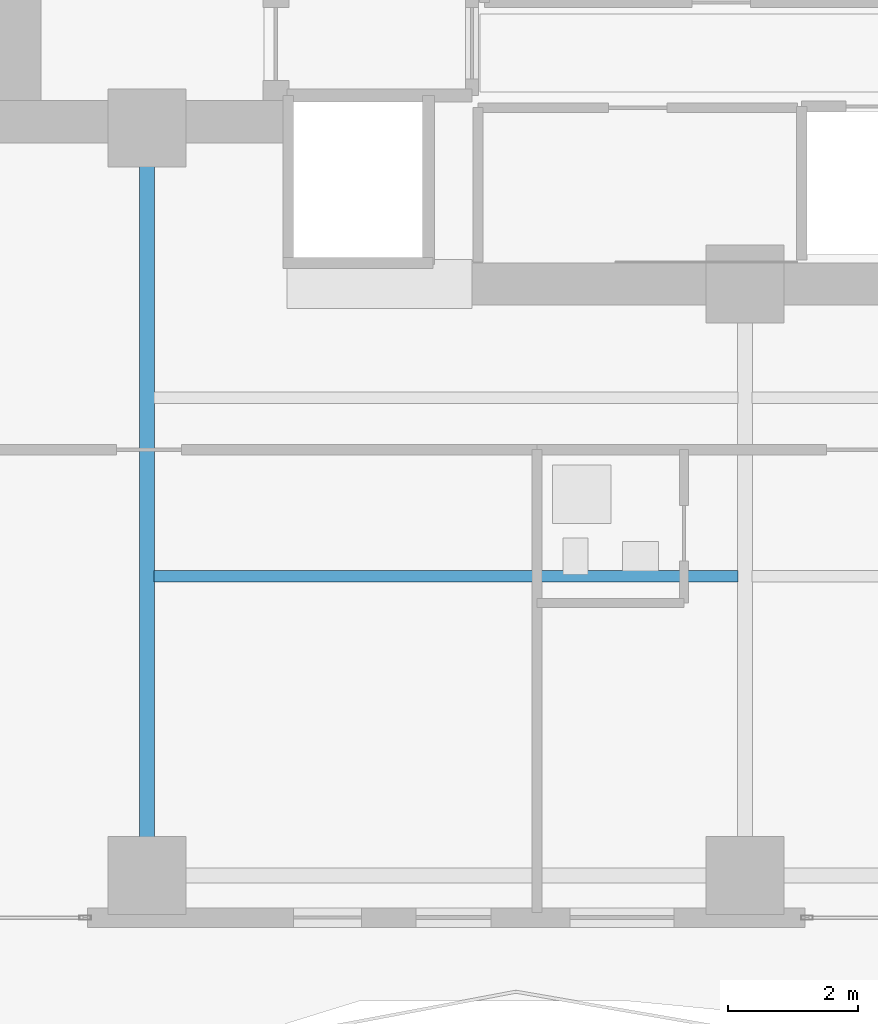
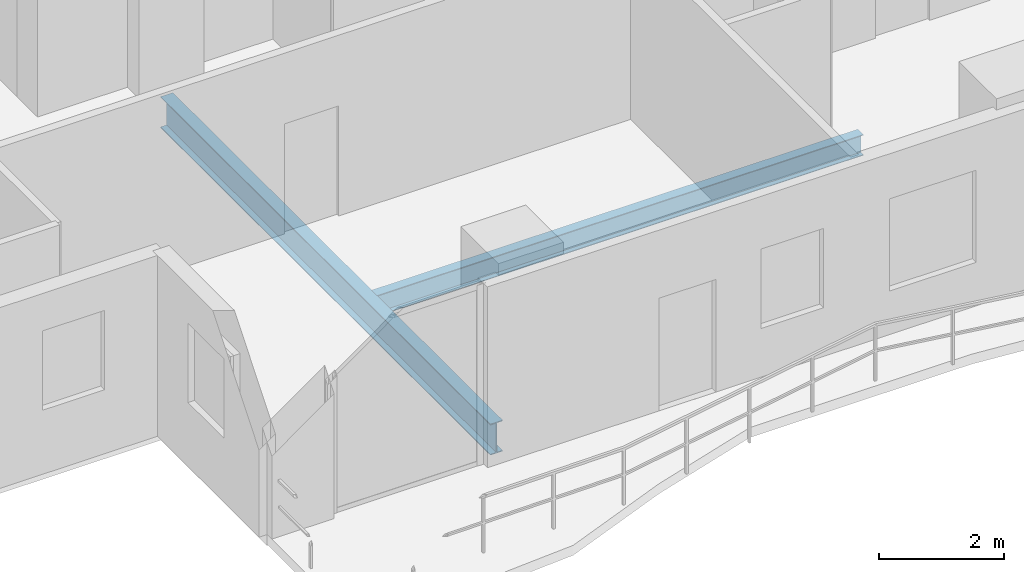
# One storey, part 3 of 33: 2 beams.
"""IFC4 building model written with IfcOpenShell, lengths in metres."""

from ifc_helpers import new_model, si_unit, direction, frame, origin, origin_2d, place, context, subcontext, project, spatial, i_section, extrude, material, material_profile, profile_set, type_object, element, save


model = new_model("IFC4")

# Units and contexts
model_context = context("Model", 3, precision=1e-05, world=origin(), true_north=direction((0.0, 1.0)))
body_context = subcontext(model_context, "Body", "Model", "MODEL_VIEW")
ifc_project = project(units=[si_unit("LENGTHUNIT", "METRE"), si_unit("AREAUNIT", "SQUARE_METRE"), si_unit("VOLUMEUNIT", "CUBIC_METRE"), si_unit("PLANEANGLEUNIT", "RADIAN"), si_unit("MASSUNIT", "GRAM", prefix="KILO")], contexts=[model_context])

# Site, building, storey
site_placement = place(None, origin())
site = spatial("IfcSite", under=ifc_project, at=site_placement, CompositionType="ELEMENT")
building_placement = place(site_placement, origin())
building = spatial("IfcBuilding", under=site, at=building_placement, Name="Zuhayl Quay Hotel", CompositionType="ELEMENT")
storey_placement = place(building_placement, frame((0.0, 0.0, 199.89990234375)))
storey = spatial("IfcBuildingStorey", under=building, at=storey_placement, Name="L50", CompositionType="ELEMENT", Elevation=199.89990234375)

# Beams
ifc_material = material(Name="Steel ASTM A992 Grade 50", Category="steel")
ifc_material_profile_1 = material_profile(ifc_material, i_section(OverallWidth=0.22802734375, OverallDepth=0.60693359375, WebThickness=0.01123046875, FlangeThickness=0.017333984375, at=origin_2d()), Name="W24X76")
ifc_profile_set_1 = profile_set([ifc_material_profile_1], Name="Steel ASTM A992 Grade 50")
beam_type_1 = type_object("IfcBeamType", Name="BM_B3_W24X76", PredefinedType="BEAM", material=ifc_profile_set_1)
beam_1_placement = place(storey_placement, frame((-13.800048828125, -6.449951171875, -0.5234375), z_axis=(0.0, 1.0, 0.0), x_axis=(-1.0, 0.0, 0.0)))
element("IfcBeam", 1, at=beam_1_placement, inside=storey, type_object=beam_type_1, Name="L50 Floor Beam FG_S_L50_1", PredefinedType="BEAM", context=body_context, shape_type="SweptSolid", body=[
    extrude(i_section(OverallWidth=0.22802734375, OverallDepth=0.60693359375, WebThickness=0.01123046875, FlangeThickness=0.017333984375, at=origin_2d()), origin(), (0.0, 0.0, 1.0), 10.550048828125),
])
ifc_material_profile_2 = material_profile(ifc_material, i_section(OverallWidth=0.177978515625, OverallDepth=0.406005859375, WebThickness=0.0078125, FlangeThickness=0.0126953125, at=origin_2d()), Name="W16X40")
ifc_profile_set_2 = profile_set([ifc_material_profile_2], Name="Steel ASTM A992 Grade 50")
beam_type_2 = type_object("IfcBeamType", Name="BM_J2B_W16X40", PredefinedType="JOIST", material=ifc_profile_set_2)
beam_2_placement = place(storey_placement, frame((-13.694091796875, -2.35009765625, -0.4228515625), z_axis=(1.0, 0.0, 0.0), x_axis=(0.0, 1.0, 0.0)))
element("IfcBeam", 2, at=beam_2_placement, inside=storey, type_object=beam_type_2, Name="L50 Floor Beam FJ_L50_7_1", PredefinedType="JOIST", context=body_context, shape_type="SweptSolid", body=[
    extrude(i_section(OverallWidth=0.177978515625, OverallDepth=0.406005859375, WebThickness=0.0078125, FlangeThickness=0.0126953125, at=origin_2d()), origin(), (0.0, 0.0, 1.0), 8.988037109375),
])

save(model, "model.ifc")
